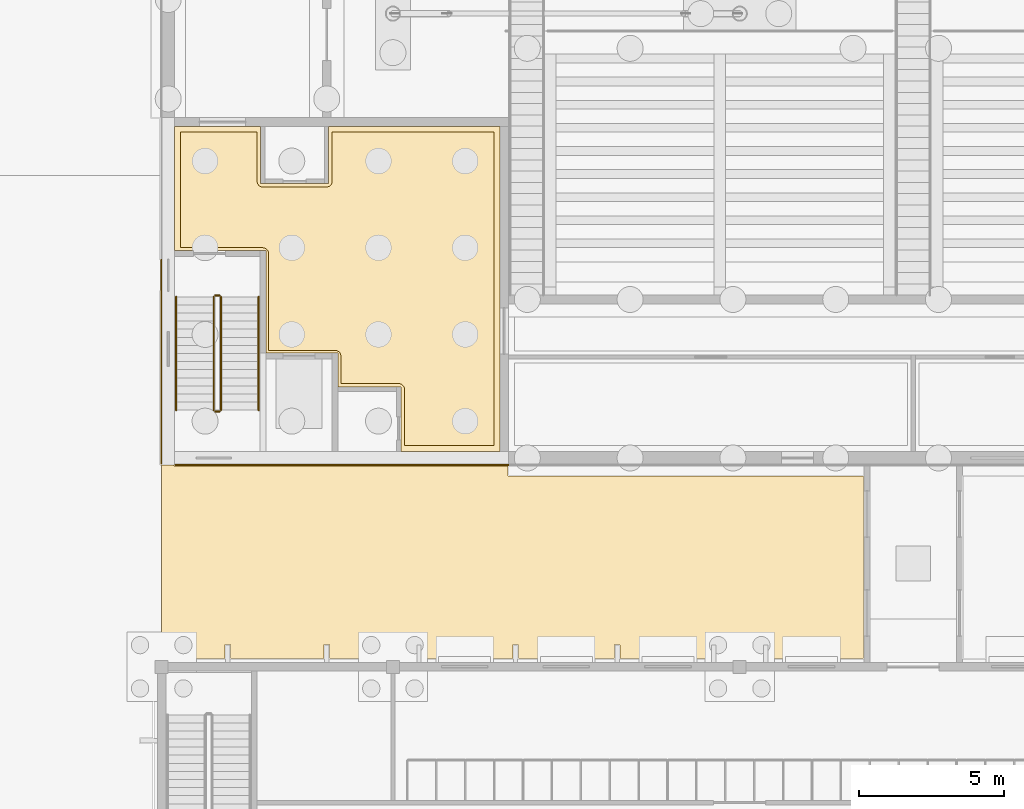
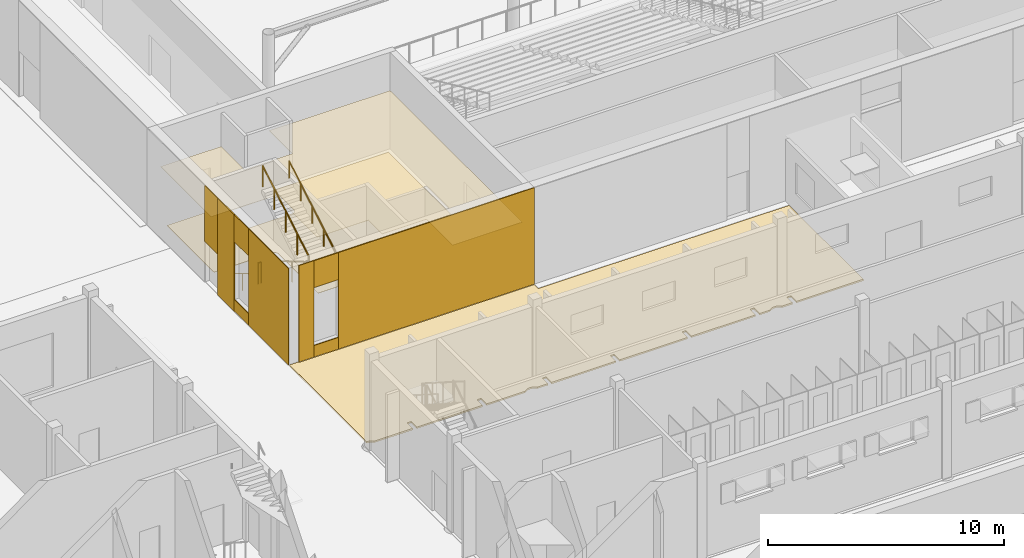
# One storey, part 125 of 157: 12 coverings, 6 railings.
"""IFC4 building model written with IfcOpenShell, lengths in metres."""

import ifcopenshell
import ifcopenshell.guid

model = None  # the IFC model being written
_history = None  # IfcOwnerHistory: only IFC2X3 demands one
_inside = {}  # id of a spatial element -> (the spatial element, [elements in it])
_under = {}  # id of a project, library or spatial element -> (it, [spatial elements below it])
_declared = {}  # id of a project -> (the project, [libraries it declares])
_typed = {}  # id of a type object -> (the type object, [elements of that type])
_made_of = {}  # id of a material, layer set ... -> (it, [elements and type objects made of it])


def new_model(schema):
    """Start an empty IFC model of exactly this schema.

    Asked for "IFC4X3", IfcOpenShell would pick the latest addendum, in which some entities
    have other attributes; the version numbers below select the first issue.
    IFC2X3 requires an IfcOwnerHistory on every rooted entity: one is made here for all.
    """
    global model, _history
    if schema == "IFC4X3":
        model = ifcopenshell.file(schema_version=(4, 3, 0, 0))
    else:
        model = ifcopenshell.file(schema=schema)
    _inside.clear()
    _under.clear()
    _declared.clear()
    _typed.clear()
    _made_of.clear()
    _history = None
    if model.schema == "IFC2X3":
        org = make("IfcOrganization", Name="unknown")
        user = make(
            "IfcPersonAndOrganization",
            ThePerson=make("IfcPerson", FamilyName="unknown"),
            TheOrganization=org,
        )
        app = make(
            "IfcApplication",
            ApplicationDeveloper=org,
            Version="unknown",
            ApplicationFullName="unknown",
            ApplicationIdentifier="unknown",
        )
        _history = make(
            "IfcOwnerHistory",
            OwningUser=user,
            OwningApplication=app,
            ChangeAction="ADDED",
            CreationDate=0,
        )
    return model


def make(cls, **values):
    """One entity of the class cls with the attributes given. An attribute that is None is left unset."""
    return model.create_entity(
        cls, **{name: value for name, value in values.items() if value is not None}
    )


def rooted(cls, **values):
    """An entity with a GlobalId (a new one), such as an element, a storey or a relation."""
    return make(cls, GlobalId=ifcopenshell.guid.new(), OwnerHistory=_history, **values)


def si_unit(unit_type, name, prefix=None):
    """IfcSIUnit, for example si_unit("LENGTHUNIT", "METRE", prefix="MILLI")."""
    return make("IfcSIUnit", UnitType=unit_type, Prefix=prefix, Name=name)


def assignment(units):
    """IfcUnitAssignment: the units of a project."""
    return None if units is None else make("IfcUnitAssignment", Units=units)


def point(xyz):
    """IfcCartesianPoint."""
    return None if xyz is None else make("IfcCartesianPoint", Coordinates=xyz)


def direction(xyz):
    """IfcDirection."""
    return None if xyz is None else make("IfcDirection", DirectionRatios=xyz)


def frame(location, z_axis=None, x_axis=None):
    """IfcAxis2Placement3D, a coordinate frame: its origin and axes. An axis left out is left unset."""
    return make(
        "IfcAxis2Placement3D",
        Location=point(location),
        Axis=direction(z_axis),
        RefDirection=direction(x_axis),
    )


def frame_2d(location, x_axis=None):
    """IfcAxis2Placement2D, a coordinate frame in the plane: its origin and x axis."""
    return make(
        "IfcAxis2Placement2D", Location=point(location), RefDirection=direction(x_axis)
    )


def origin():
    """The frame at (0, 0, 0) with its axes left unset."""
    return frame((0.0, 0.0, 0.0))


def origin_2d():
    """The frame at (0, 0) in the plane with its x axis left unset."""
    return frame_2d((0.0, 0.0))


def place(relative_to, where):
    """IfcLocalPlacement: puts the frame where relative to a parent placement (None: the world)."""
    return make(
        "IfcLocalPlacement", PlacementRelTo=relative_to, RelativePlacement=where
    )


def context(
    kind, dimensions, precision=None, world=None, true_north=None, identifier=None
):
    """IfcGeometricRepresentationContext, for example the 3D "Model" context."""
    return make(
        "IfcGeometricRepresentationContext",
        ContextIdentifier=identifier,
        ContextType=kind,
        CoordinateSpaceDimension=dimensions,
        Precision=precision,
        WorldCoordinateSystem=world,
        TrueNorth=true_north,
    )


def subcontext(parent, identifier, kind, view, scale=None):
    """IfcGeometricRepresentationSubContext, for example "Body" below "Model"."""
    return make(
        "IfcGeometricRepresentationSubContext",
        ContextIdentifier=identifier,
        ContextType=kind,
        ParentContext=parent,
        TargetScale=scale,
        TargetView=view,
    )


def project(units=None, contexts=None):
    """IfcProject with its units and contexts."""
    return rooted(
        "IfcProject",
        Name="project",
        RepresentationContexts=contexts,
        UnitsInContext=assignment(units),
    )


def spatial(cls, under=None, at=None, **own):
    """A site, building, storey or space (cls), placed at a placement, below another one or the project."""
    s = rooted(cls, ObjectPlacement=at, **own)
    if under is not None:
        _under.setdefault(under.id(), (under, []))[1].append(s)
    return s


def polyline(points):
    """IfcPolyline through the points."""
    return make("IfcPolyline", Points=[point(p) for p in points])


def profile(cls, at=None, kind="AREA", **sizes):
    """A parametric profile (cls). Its sizes go by their IFC names, for example OverallWidth=200.0."""
    return make(cls, ProfileType=kind, Position=at, **sizes)


def circle(**sizes):
    """IfcCircleProfileDef."""
    return profile("IfcCircleProfileDef", **sizes)


def outline(outer, holes=None, kind="AREA"):
    """IfcArbitraryClosedProfileDef: a profile drawn as a closed curve; with holes, ...WithVoids."""
    if holes is None:
        return make("IfcArbitraryClosedProfileDef", ProfileType=kind, OuterCurve=outer)
    return make(
        "IfcArbitraryProfileDefWithVoids",
        ProfileType=kind,
        OuterCurve=outer,
        InnerCurves=holes,
    )


def extrude(swept, where, along, depth):
    """IfcExtrudedAreaSolid: the profile swept, set in the frame where, extruded along a direction by depth."""
    return make(
        "IfcExtrudedAreaSolid",
        SweptArea=swept,
        Position=where,
        ExtrudedDirection=direction(along),
        Depth=depth,
    )


def shape(context_of_items, identifier, shape_type, items):
    """IfcShapeRepresentation: the items that make up one representation, for example the "Body"."""
    return make(
        "IfcShapeRepresentation",
        ContextOfItems=context_of_items,
        RepresentationIdentifier=identifier,
        RepresentationType=shape_type,
        Items=items,
    )


def material(Name=None, Category=None):
    """IfcMaterial."""
    return make("IfcMaterial", Name=Name, Category=Category)


def layer(
    of_material, thickness, ventilated=None, Name=None, Category=None, Priority=None
):
    """IfcMaterialLayer: one layer of a wall or slab, of a material (None: an air gap)."""
    return make(
        "IfcMaterialLayer",
        Material=of_material,
        LayerThickness=thickness,
        IsVentilated=ventilated,
        Name=Name,
        Category=Category,
        Priority=Priority,
    )


def layer_set(layers, Name=None):
    """IfcMaterialLayerSet."""
    return make("IfcMaterialLayerSet", MaterialLayers=layers, LayerSetName=Name)


def made_of(thing, what):
    """Note that an element or type object is made of a material, layer set ...; save() writes the relation."""
    if what is not None:
        _made_of.setdefault(what.id(), (what, []))[1].append(thing)
    return thing


def type_object(cls, material=None, **own):
    """A type object (cls), such as IfcWallType, which elements share."""
    return made_of(rooted(cls, **own), material)


def element(
    cls,
    number,
    at=None,
    inside=None,
    cuts=None,
    type_object=None,
    material=None,
    context=None,
    identifier="Body",
    shape_type=None,
    held_by="IfcProductDefinitionShape",
    body=None,
    shapes=None,
    **own,
):
    """One element of the class cls, such as IfcWall. Its Tag is "e" and its number.

    at: its placement. inside: the storey or other place that contains it. cuts: it is an
    opening in that element (IfcRelVoidsElement). A single representation is given by context,
    identifier, shape_type and body (its items); several are given by shapes. held_by: the class
    of the entity that holds the representations. save() writes the other relations.
    """
    e = rooted(cls, Tag="e%d" % number, ObjectPlacement=at, **own)
    if body is not None:
        shapes = [shape(context, identifier, shape_type, body)]
    if shapes is not None:
        e.Representation = make(held_by, Representations=shapes)
    if inside is not None:
        _inside.setdefault(inside.id(), (inside, []))[1].append(e)
    if cuts is not None:
        rooted(
            "IfcRelVoidsElement", RelatingBuildingElement=cuts, RelatedOpeningElement=e
        )
    if type_object is not None:
        _typed.setdefault(type_object.id(), (type_object, []))[1].append(e)
    return made_of(e, material)


def aggregate(whole, parts):
    """IfcRelAggregates: a whole, such as a stair, and the parts it consists of."""
    return rooted("IfcRelAggregates", RelatingObject=whole, RelatedObjects=parts)


def save(model, path):
    """Write the relations noted so far, then the file.

    IfcRelAggregates (storeys below a building ...), IfcRelContainedInSpatialStructure (elements
    in a storey), IfcRelDefinesByType, IfcRelAssociatesMaterial and IfcRelDeclares: one each for
    every whole, place, type object, material and project.
    """
    for whole, parts in _under.values():
        aggregate(whole, parts)
    for where, things in _inside.values():
        rooted(
            "IfcRelContainedInSpatialStructure",
            RelatedElements=things,
            RelatingStructure=where,
        )
    for kind, things in _typed.values():
        rooted("IfcRelDefinesByType", RelatedObjects=things, RelatingType=kind)
    for what, things in _made_of.values():
        rooted("IfcRelAssociatesMaterial", RelatedObjects=things, RelatingMaterial=what)
    for by, libraries in _declared.values():
        rooted("IfcRelDeclares", RelatingContext=by, RelatedDefinitions=libraries)
    model.write(path)


model = new_model("IFC4")

# Units and contexts
model_context = context("Model", 3, precision=1e-05, world=origin(), true_north=direction((0.0, 1.0)))
body_context = subcontext(model_context, "Body", "Model", "MODEL_VIEW")
ifc_project = project(units=[si_unit("LENGTHUNIT", "METRE"), si_unit("AREAUNIT", "SQUARE_METRE"), si_unit("VOLUMEUNIT", "CUBIC_METRE"), si_unit("PLANEANGLEUNIT", "RADIAN"), si_unit("MASSUNIT", "GRAM", prefix="KILO")], contexts=[model_context])

# Site, building, storey
site_placement = place(None, origin())
site = spatial("IfcSite", under=ifc_project, at=site_placement, CompositionType="ELEMENT")
building_placement = place(site_placement, origin())
building = spatial("IfcBuilding", under=site, at=building_placement, Name="Windward Yard Aquatics Centre", CompositionType="ELEMENT")
storey_placement = place(building_placement, origin())
storey = spatial("IfcBuildingStorey", under=building, at=storey_placement, Name="L00", CompositionType="ELEMENT", Elevation=0.0)

# Covering
ifc_material_1 = material(Name="Polished screed")
ifc_layer_1 = layer(ifc_material_1, 0.0400390625)
ifc_layer_set_1 = layer_set([ifc_layer_1], Name="H Floor Finish Screed 40")
covering_type_1 = type_object("IfcCoveringType", Name="H Floor Finish Screed 40", PredefinedType="FLOORING", material=ifc_layer_set_1)
covering_1_placement = place(storey_placement, origin())
element("IfcCovering", 1, at=covering_1_placement, inside=storey, type_object=covering_type_1, Name="Core Lobby SW floor finish", PredefinedType="FLOORING", context=body_context, shape_type="SweptSolid", body=[
    extrude(outline(polyline([(52.64990234375, 33.5), (52.64990234375, 37.5), (55.300048828125, 37.5), (55.301025390625, 35.780517578125), (55.30859375, 35.741943359375), (55.323486328125, 35.705810546875), (55.345458984375, 35.673095703125), (55.373046875, 35.6455078125), (55.388916015625, 35.6337890625), (55.423583984375, 35.615234375), (55.4609375, 35.603759765625), (55.5, 35.60009765625), (57.699951171875, 35.60009765625), (57.739013671875, 35.603759765625), (57.776611328125, 35.615234375), (57.81103515625, 35.6337890625), (57.826904296875, 35.6455078125), (57.8544921875, 35.673095703125), (57.87646484375, 35.705810546875), (57.891357421875, 35.741943359375), (57.89892578125, 35.780517578125), (57.89990234375, 35.800048828125), (57.89990234375, 37.5), (63.5, 37.5), (63.5, 26.64990234375), (60.39990234375, 26.64990234375), (60.39990234375, 28.60009765625), (60.39892578125, 28.61962890625), (60.391357421875, 28.658203125), (60.37646484375, 28.6943359375), (60.3544921875, 28.726806640625), (60.326904296875, 28.754638671875), (60.31103515625, 28.766357421875), (60.294189453125, 28.7763671875), (60.258056640625, 28.79150390625), (60.239013671875, 28.796142578125), (60.199951171875, 28.800048828125), (58.199951171875, 28.800048828125), (58.198974609375, 29.76953125), (58.19140625, 29.80810546875), (58.184814453125, 29.826416015625), (58.166259765625, 29.861083984375), (58.154541015625, 29.876953125), (58.126953125, 29.904541015625), (58.111083984375, 29.916259765625), (58.09423828125, 29.926513671875), (58.05810546875, 29.94140625), (58.0390625, 29.9462890625), (58.0, 29.949951171875), (55.699951171875, 29.949951171875), (55.699951171875, 33.300048828125), (55.698974609375, 33.319580078125), (55.69140625, 33.358154296875), (55.676513671875, 33.394287109375), (55.654541015625, 33.427001953125), (55.626953125, 33.45458984375), (55.611083984375, 33.46630859375), (55.576416015625, 33.48486328125), (55.5390625, 33.49609375), (55.5, 33.5), (52.64990234375, 33.5)])), origin(), (0.0, 0.0, 1.0), 0.02001953125),
])

# Railings
ifc_material_2 = material(Name="Stainless steel 1.4529", Category="steel")
railing_type_1 = type_object("IfcRailingType", Name="H Guard Steel 1100", PredefinedType="GUARDRAIL", material=ifc_material_2)
railing_1_placement = place(storey_placement, frame((53.800048828125, 31.800048828125, 0.166748046875)))
element("IfcRailing", 2, at=railing_1_placement, inside=storey, type_object=railing_type_1, Name="L00 ST1 stair guard 1", PredefinedType="GUARDRAIL", context=body_context, shape_type="SweptSolid", body=[
    extrude(circle(Radius=0.02392578125, at=origin_2d()), frame((0.0, 0.0, 1.076171875), z_axis=(0.0, -0.859310244771, 0.511454693235), x_axis=(1.0, 0.0, 0.0)), (0.0, 0.0, 1.0), 4.56201171875),
    extrude(circle(Radius=0.02099609375, at=origin_2d()), origin(), (0.0, 0.0, 1.0), 1.052001953125),
    extrude(circle(Radius=0.02099609375, at=origin_2d()), frame((0.0, -0.97998046875, 0.583251953125)), (0.0, 0.0, 1.0), 1.052001953125),
    extrude(circle(Radius=0.02099609375, at=origin_2d()), frame((0.0, -1.9599609375, 1.16650390625)), (0.0, 0.0, 1.0), 1.052001953125),
    extrude(circle(Radius=0.02099609375, at=origin_2d()), frame((0.0, -2.940185546875, 1.75)), (0.0, 0.0, 1.0), 1.052001953125),
    extrude(circle(Radius=0.02099609375, at=origin_2d()), frame((0.0, -3.920166015625, 2.333251953125)), (0.0, 0.0, 1.0), 1.052001953125),
])
railing_2_placement = place(storey_placement, frame((53.85009765625, 27.830078125, 2.5)))
element("IfcRailing", 3, at=railing_2_placement, inside=storey, type_object=railing_type_1, Name="L00 ST1 stair guard 2", PredefinedType="GUARDRAIL", context=body_context, shape_type="SweptSolid", body=[
    extrude(circle(Radius=0.02392578125, at=origin_2d()), frame((0.0, 0.0, 1.076171875), z_axis=(1.0, 0.0, 0.0), x_axis=(0.0, 1.0, 0.0)), (0.0, 0.0, 1.0), 0.14990234375),
    extrude(circle(Radius=0.02099609375, at=origin_2d()), origin(), (0.0, 0.0, 1.0), 1.052001953125),
    extrude(circle(Radius=0.02099609375, at=origin_2d()), frame((0.14990234375, 0.0, 0.0)), (0.0, 0.0, 1.0), 1.052001953125),
])
railing_3_placement = place(storey_placement, frame((54.050048828125, 27.8798828125, 2.666748046875)))
element("IfcRailing", 4, at=railing_3_placement, inside=storey, type_object=railing_type_1, Name="L00 ST1 stair guard 3", PredefinedType="GUARDRAIL", context=body_context, shape_type="SweptSolid", body=[
    extrude(circle(Radius=0.02392578125, at=origin_2d()), frame((0.0, 0.0, 1.076171875), z_axis=(0.0, 0.859310244771, 0.511454693235), x_axis=(-1.0, 0.0, 0.0)), (0.0, 0.0, 1.0), 4.56201171875),
    extrude(circle(Radius=0.02099609375, at=origin_2d()), origin(), (0.0, 0.0, 1.0), 1.052001953125),
    extrude(circle(Radius=0.02099609375, at=origin_2d()), frame((0.0, 0.97998046875, 0.583251953125)), (0.0, 0.0, 1.0), 1.052001953125),
    extrude(circle(Radius=0.02099609375, at=origin_2d()), frame((0.0, 1.9599609375, 1.16650390625)), (0.0, 0.0, 1.0), 1.052001953125),
    extrude(circle(Radius=0.02099609375, at=origin_2d()), frame((0.0, 2.940185546875, 1.75)), (0.0, 0.0, 1.0), 1.052001953125),
    extrude(circle(Radius=0.02099609375, at=origin_2d()), frame((0.0, 3.920166015625, 2.333251953125)), (0.0, 0.0, 1.0), 1.052001953125),
])
railing_4_placement = place(storey_placement, frame((53.85009765625, 31.85009765625, 0.0)))
element("IfcRailing", 5, at=railing_4_placement, inside=storey, type_object=railing_type_1, Name="L00 ST1 stair guard 4", PredefinedType="GUARDRAIL", context=body_context, shape_type="SweptSolid", body=[
    extrude(circle(Radius=0.02392578125, at=origin_2d()), frame((0.0, 0.0, 1.076171875), z_axis=(1.0, 0.0, 0.0), x_axis=(0.0, 1.0, 0.0)), (0.0, 0.0, 1.0), 0.14990234375),
    extrude(circle(Radius=0.02099609375, at=origin_2d()), origin(), (0.0, 0.0, 1.0), 1.052001953125),
    extrude(circle(Radius=0.02099609375, at=origin_2d()), frame((0.14990234375, 0.0, 0.0)), (0.0, 0.0, 1.0), 1.052001953125),
])
railing_type_2 = type_object("IfcRailingType", Name="H Handrail Steel 900", PredefinedType="HANDRAIL", material=ifc_material_2)
railing_5_placement = place(storey_placement, frame((52.5, 31.800048828125, 0.166748046875)))
element("IfcRailing", 6, at=railing_5_placement, inside=storey, type_object=railing_type_2, Name="L00 ST1 stair handrail 1", PredefinedType="HANDRAIL", context=body_context, shape_type="SweptSolid", body=[
    extrude(circle(Radius=0.02392578125, at=origin_2d()), frame((0.0, 0.0, 0.8759765625), z_axis=(0.0, -0.859310244771, 0.511454693235), x_axis=(1.0, 0.0, 0.0)), (0.0, 0.0, 1.0), 4.56201171875),
    extrude(circle(Radius=0.02099609375, at=origin_2d()), origin(), (0.0, 0.0, 1.0), 0.851806640625),
    extrude(circle(Radius=0.02099609375, at=origin_2d()), frame((0.0, -0.97998046875, 0.583251953125)), (0.0, 0.0, 1.0), 0.851806640625),
    extrude(circle(Radius=0.02099609375, at=origin_2d()), frame((0.0, -1.9599609375, 1.16650390625)), (0.0, 0.0, 1.0), 0.851806640625),
    extrude(circle(Radius=0.02099609375, at=origin_2d()), frame((0.0, -2.940185546875, 1.75)), (0.0, 0.0, 1.0), 0.851806640625),
    extrude(circle(Radius=0.02099609375, at=origin_2d()), frame((0.0, -3.920166015625, 2.333251953125)), (0.0, 0.0, 1.0), 0.851806640625),
])
railing_6_placement = place(storey_placement, frame((55.35009765625, 27.8798828125, 2.666748046875)))
element("IfcRailing", 7, at=railing_6_placement, inside=storey, type_object=railing_type_2, Name="L00 ST1 stair handrail 2", PredefinedType="HANDRAIL", context=body_context, shape_type="SweptSolid", body=[
    extrude(circle(Radius=0.02392578125, at=origin_2d()), frame((0.0, 0.0, 0.8759765625), z_axis=(0.0, 0.859310244771, 0.511454693235), x_axis=(-1.0, 0.0, 0.0)), (0.0, 0.0, 1.0), 4.56201171875),
    extrude(circle(Radius=0.02099609375, at=origin_2d()), origin(), (0.0, 0.0, 1.0), 0.851806640625),
    extrude(circle(Radius=0.02099609375, at=origin_2d()), frame((0.0, 0.97998046875, 0.583251953125)), (0.0, 0.0, 1.0), 0.851806640625),
    extrude(circle(Radius=0.02099609375, at=origin_2d()), frame((0.0, 1.9599609375, 1.16650390625)), (0.0, 0.0, 1.0), 0.851806640625),
    extrude(circle(Radius=0.02099609375, at=origin_2d()), frame((0.0, 2.940185546875, 1.75)), (0.0, 0.0, 1.0), 0.851806640625),
    extrude(circle(Radius=0.02099609375, at=origin_2d()), frame((0.0, 3.920166015625, 2.333251953125)), (0.0, 0.0, 1.0), 0.851806640625),
])

# Coverings
ifc_material_3 = material(Name="Mineral fibre tile")
ifc_layer_2 = layer(ifc_material_3, 0.02001953125)
ifc_layer_set_2 = layer_set([ifc_layer_2], Name="H Suspended Ceiling 600 x 600")
covering_type_2 = type_object("IfcCoveringType", Name="H Suspended Ceiling 600 x 600", PredefinedType="CEILING", material=ifc_layer_set_2)
covering_2_placement = place(storey_placement, frame((0.0, 0.0, 3.0)))
element("IfcCovering", 8, at=covering_2_placement, inside=storey, type_object=covering_type_2, Name="Core Lobby SW ceiling", PredefinedType="CEILING", context=body_context, shape_type="SweptSolid", body=[
    extrude(outline(polyline([(52.450439453125, 33.400390625), (52.450439453125, 37.699462890625), (55.424560546875, 37.699462890625), (55.424560546875, 35.72509765625), (55.574951171875, 35.724609375), (57.775390625, 35.72509765625), (57.775390625, 37.699462890625), (63.699462890625, 37.699462890625), (63.699462890625, 26.450439453125), (60.275390625, 26.450439453125), (60.275390625, 28.675048828125), (58.1005859375, 28.675537109375), (58.1005859375, 29.85009765625), (55.6005859375, 29.8505859375), (55.6005859375, 33.39990234375), (52.450439453125, 33.400390625)])), origin(), (0.0, 0.0, 1.0), 0.02001953125),
])
ifc_material_4 = material(Name="Natural limestone cladding", Category="masonry")
ifc_layer_3 = layer(ifc_material_4, 0.0400390625)
ifc_layer_set_3 = layer_set([ifc_layer_3], Name="H natural stone cladding 40")
covering_type_3 = type_object("IfcCoveringType", Name="H natural stone cladding 40", PredefinedType="CLADDING", material=ifc_layer_set_3)
covering_3_placement = place(storey_placement, origin())
element("IfcCovering", 9, at=covering_3_placement, inside=storey, type_object=covering_type_3, Name="Stone cladding panel 111", PredefinedType="CLADDING", context=body_context, shape_type="SweptSolid", body=[
    extrude(outline(polyline([(52.449951171875, 25.9599609375), (52.449951171875, 26.0), (53.199951171875, 26.0), (53.199951171875, 25.9599609375), (52.449951171875, 25.9599609375)])), origin(), (0.0, 0.0, 1.0), 5.0),
])
covering_4_placement = place(storey_placement, origin())
element("IfcCovering", 10, at=covering_4_placement, inside=storey, type_object=covering_type_3, Name="Stone cladding panel 112", PredefinedType="CLADDING", context=body_context, shape_type="SweptSolid", body=[
    extrude(outline(polyline([(53.199951171875, 25.9599609375), (53.199951171875, 26.0), (54.39990234375, 26.0), (54.39990234375, 25.9599609375), (53.199951171875, 25.9599609375)])), origin(), (0.0, 0.0, 1.0), 0.60009765625),
])
covering_5_placement = place(storey_placement, frame((0.0, 0.0, 3.60009765625)))
element("IfcCovering", 11, at=covering_5_placement, inside=storey, type_object=covering_type_3, Name="Stone cladding panel 113", PredefinedType="CLADDING", context=body_context, shape_type="SweptSolid", body=[
    extrude(outline(polyline([(53.199951171875, 25.9599609375), (53.199951171875, 26.0), (54.39990234375, 26.0), (54.39990234375, 25.9599609375), (53.199951171875, 25.9599609375)])), origin(), (0.0, 0.0, 1.0), 1.39990234375),
])
covering_6_placement = place(storey_placement, origin())
element("IfcCovering", 12, at=covering_6_placement, inside=storey, type_object=covering_type_3, Name="Stone cladding panel 114", PredefinedType="CLADDING", context=body_context, shape_type="SweptSolid", body=[
    extrude(outline(polyline([(54.39990234375, 25.9599609375), (54.39990234375, 26.0), (64.0, 26.0), (64.0, 25.9599609375), (54.39990234375, 25.9599609375)])), origin(), (0.0, 0.0, 1.0), 5.0),
])
covering_7_placement = place(storey_placement, origin())
element("IfcCovering", 13, at=covering_7_placement, inside=storey, type_object=covering_type_3, Name="Stone cladding panel 135", PredefinedType="CLADDING", context=body_context, shape_type="SweptSolid", body=[
    extrude(outline(polyline([(51.9599609375, 26.0), (52.0, 26.0), (52.0, 29.39990234375), (51.9599609375, 29.39990234375), (51.9599609375, 26.0)])), origin(), (0.0, 0.0, 1.0), 5.0),
])
covering_8_placement = place(storey_placement, origin())
element("IfcCovering", 14, at=covering_8_placement, inside=storey, type_object=covering_type_3, Name="Stone cladding panel 136", PredefinedType="CLADDING", context=body_context, shape_type="SweptSolid", body=[
    extrude(outline(polyline([(51.9599609375, 29.39990234375), (52.0, 29.39990234375), (52.0, 30.60009765625), (51.9599609375, 30.60009765625), (51.9599609375, 29.39990234375)])), origin(), (0.0, 0.0, 1.0), 0.60009765625),
])
covering_9_placement = place(storey_placement, frame((0.0, 0.0, 3.60009765625)))
element("IfcCovering", 15, at=covering_9_placement, inside=storey, type_object=covering_type_3, Name="Stone cladding panel 137", PredefinedType="CLADDING", context=body_context, shape_type="SweptSolid", body=[
    extrude(outline(polyline([(51.9599609375, 29.39990234375), (52.0, 29.39990234375), (52.0, 30.60009765625), (51.9599609375, 30.60009765625), (51.9599609375, 29.39990234375)])), origin(), (0.0, 0.0, 1.0), 1.39990234375),
])
covering_10_placement = place(storey_placement, origin())
element("IfcCovering", 16, at=covering_10_placement, inside=storey, type_object=covering_type_3, Name="Stone cladding panel 138", PredefinedType="CLADDING", context=body_context, shape_type="SweptSolid", body=[
    extrude(outline(polyline([(51.9599609375, 30.60009765625), (52.0, 30.60009765625), (52.0, 32.0), (51.9599609375, 32.0), (51.9599609375, 30.60009765625)])), origin(), (0.0, 0.0, 1.0), 5.0),
])
covering_11_placement = place(storey_placement, frame((0.0, 0.0, 2.10009765625)))
element("IfcCovering", 17, at=covering_11_placement, inside=storey, type_object=covering_type_3, Name="Stone cladding panel 139", PredefinedType="CLADDING", context=body_context, shape_type="SweptSolid", body=[
    extrude(outline(polyline([(51.9599609375, 32.0), (52.0, 32.0), (52.0, 33.10009765625), (51.9599609375, 33.10009765625), (51.9599609375, 32.0)])), origin(), (0.0, 0.0, 1.0), 2.89990234375),
])
ifc_material_5 = material(Name="Concrete block paving C35/45", Category="concrete")
ifc_layer_4 = layer(ifc_material_5, 0.080078125)
ifc_layer_set_4 = layer_set([ifc_layer_4], Name="X Concrete Block Paving 80")
covering_type_4 = type_object("IfcCoveringType", Name="X Concrete Block Paving 80", PredefinedType="FLOORING", material=ifc_layer_set_4)
covering_12_placement = place(storey_placement, frame((0.0, 0.0, -0.080078125)))
element("IfcCovering", 18, at=covering_12_placement, inside=storey, type_object=covering_type_4, Name="Garden court paving 3", PredefinedType="FLOORING", context=body_context, shape_type="SweptSolid", body=[
    extrude(outline(polyline([(52.0, 19.419921875), (52.0419921875, 19.41796875), (52.0830078125, 19.41162109375), (52.122802734375, 19.401611328125), (52.16162109375, 19.3876953125), (52.19873046875, 19.369873046875), (52.234130859375, 19.3486328125), (52.26708984375, 19.323974609375), (52.298828125, 19.294921875), (54.1923828125, 19.294921875), (54.1923828125, 19.75), (54.194091796875, 19.7578125), (54.19970703125, 19.765380859375), (54.21044921875, 19.77001953125), (54.362548828125, 19.77001953125), (54.3701171875, 19.7685546875), (54.376708984375, 19.76416015625), (54.381103515625, 19.7578125), (54.382568359375, 19.75), (54.382568359375, 19.294921875), (57.617431640625, 19.294921875), (57.617431640625, 19.75), (57.618896484375, 19.7578125), (57.624755859375, 19.765380859375), (57.635498046875, 19.77001953125), (57.78759765625, 19.77001953125), (57.795166015625, 19.7685546875), (57.801513671875, 19.76416015625), (57.805908203125, 19.7578125), (57.8076171875, 19.75), (57.8076171875, 19.294921875), (59.701171875, 19.294921875), (59.73291015625, 19.323974609375), (59.765869140625, 19.3486328125), (59.80126953125, 19.369873046875), (59.83837890625, 19.3876953125), (59.877197265625, 19.401611328125), (59.9169921875, 19.41162109375), (59.9580078125, 19.41796875), (60.0009765625, 19.419921875), (60.0419921875, 19.41796875), (60.0830078125, 19.41162109375), (60.122802734375, 19.401611328125), (60.16162109375, 19.3876953125), (60.19873046875, 19.369873046875), (60.234130859375, 19.3486328125), (60.26708984375, 19.323974609375), (60.298828125, 19.294921875), (60.80908203125, 19.294921875), (60.80908203125, 19.75), (60.810546875, 19.7578125), (60.81640625, 19.765380859375), (60.8271484375, 19.77001953125), (60.979248046875, 19.77001953125), (60.98681640625, 19.7685546875), (60.993408203125, 19.76416015625), (60.997802734375, 19.7578125), (60.999267578125, 19.75), (60.999267578125, 19.294921875), (64.146728515625, 19.294921875), (64.147705078125, 19.755859375), (64.154052734375, 19.765380859375), (64.164794921875, 19.77001953125), (64.316650390625, 19.77001953125), (64.32421875, 19.7685546875), (64.330810546875, 19.76416015625), (64.335205078125, 19.7578125), (64.336669921875, 19.75), (64.336669921875, 19.294921875), (67.663330078125, 19.294921875), (67.664306640625, 19.755859375), (67.670654296875, 19.765380859375), (67.681396484375, 19.77001953125), (67.833251953125, 19.77001953125), (67.841064453125, 19.7685546875), (67.847412109375, 19.76416015625), (67.851806640625, 19.7578125), (67.853271484375, 19.75), (67.853271484375, 19.294921875), (71.000732421875, 19.294921875), (71.000732421875, 19.75), (71.002197265625, 19.7578125), (71.009765625, 19.7666015625), (71.018798828125, 19.77001953125), (71.1708984375, 19.77001953125), (71.1787109375, 19.7685546875), (71.18505859375, 19.76416015625), (71.189453125, 19.7578125), (71.19091796875, 19.75), (71.19091796875, 19.294921875), (71.701171875, 19.294921875), (71.73291015625, 19.323974609375), (71.765869140625, 19.3486328125), (71.80126953125, 19.369873046875), (71.83837890625, 19.3876953125), (71.877197265625, 19.401611328125), (71.9169921875, 19.41162109375), (71.959716796875, 19.41796875), (72.0009765625, 19.419921875), (72.0419921875, 19.41796875), (72.0830078125, 19.41162109375), (72.122802734375, 19.401611328125), (72.16162109375, 19.3876953125), (72.19873046875, 19.369873046875), (72.234130859375, 19.3486328125), (72.26708984375, 19.323974609375), (72.298828125, 19.294921875), (72.80908203125, 19.294921875), (72.80908203125, 19.75), (72.810546875, 19.7578125), (72.818115234375, 19.7666015625), (72.8271484375, 19.77001953125), (72.97900390625, 19.77001953125), (72.98681640625, 19.7685546875), (72.9931640625, 19.76416015625), (72.99755859375, 19.7578125), (72.9990234375, 19.75), (72.9990234375, 19.294921875), (76.280029296875, 19.294921875), (76.280029296875, 25.60498046875), (64.0, 25.60498046875), (63.994140625, 25.60595703125), (63.9873046875, 25.609619140625), (63.982421875, 25.615478515625), (63.97998046875, 25.623046875), (63.97998046875, 25.93994140625), (52.449951171875, 25.93994140625), (52.444091796875, 25.94091796875), (52.437255859375, 25.944580078125), (52.430908203125, 25.9541015625), (52.429931640625, 25.97998046875), (52.0, 25.97998046875), (52.0, 19.419921875)])), origin(), (0.0, 0.0, 1.0), 0.080078125),
])

save(model, "model.ifc")
